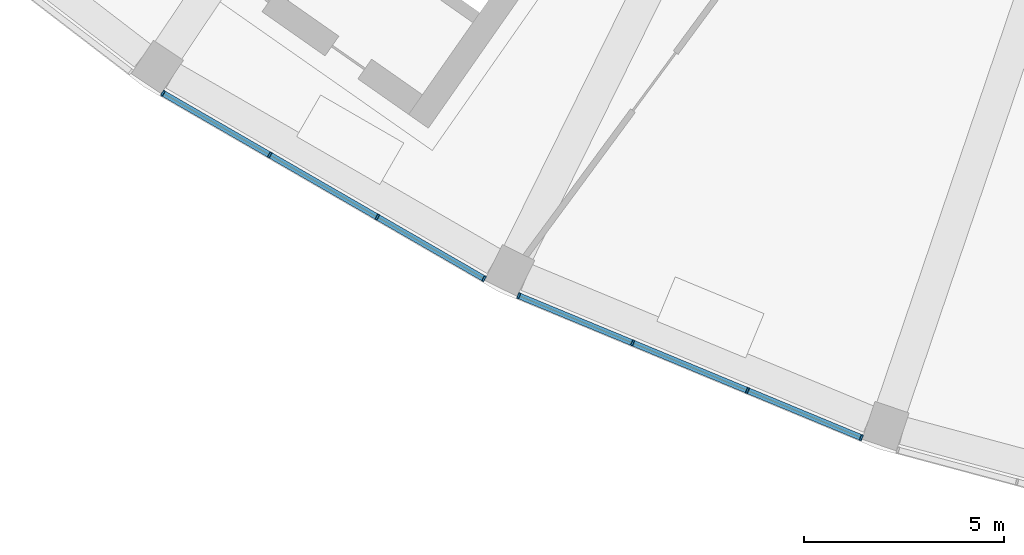
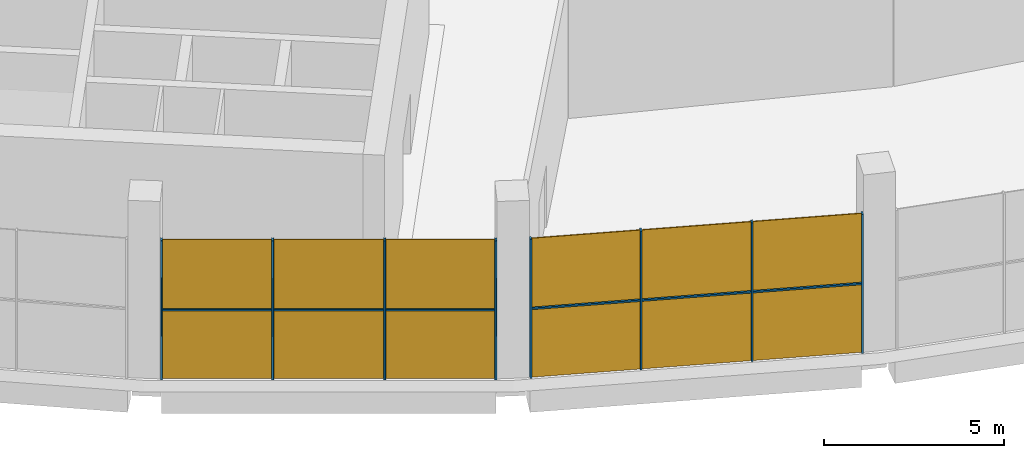
# One storey, part 22 of 41: 14 members, 2 curtain walls.
"""IFC4 building model written with IfcOpenShell, lengths in metres."""

from ifc_helpers import new_model, si_unit, direction, frame, origin, origin_2d, place, context, subcontext, project, spatial, rectangle, extrude, material, material_profile, profile_set, type_object, element, aggregate, save


model = new_model("IFC4")

# Units and contexts
model_context = context("Model", 3, precision=1e-05, world=origin(), true_north=direction((0.0, 1.0)))
body_context = subcontext(model_context, "Body", "Model", "MODEL_VIEW")
ifc_project = project(units=[si_unit("LENGTHUNIT", "METRE"), si_unit("AREAUNIT", "SQUARE_METRE"), si_unit("VOLUMEUNIT", "CUBIC_METRE"), si_unit("PLANEANGLEUNIT", "RADIAN"), si_unit("MASSUNIT", "GRAM", prefix="KILO")], contexts=[model_context])

# Member
ifc_material = material(Name="Aluminium 6063-T6 anodised", Category="aluminium")
ifc_material_profile_1 = material_profile(ifc_material, rectangle(XDim=0.14990234375, YDim=0.050048828125, at=origin_2d()))
ifc_profile_set_1 = profile_set([ifc_material_profile_1], Name="Aluminium 6063-T6 anodised")
member_type_1 = type_object("IfcMemberType", Name="Mullion 50 x 150 aluminium, frameless", PredefinedType="MULLION", material=ifc_profile_set_1)
site_placement = place(None, origin())
building_placement = place(site_placement, origin())
storey_placement = place(building_placement, frame((0.0, 0.0, 284.699951171875)))
member_1_placement = place(storey_placement, frame((-43.0546875, -65.303955078125, 0.0), z_axis=(0.0, 0.0, 1.0), x_axis=(0.5, 0.866025403784, 0.0)))
member_1 = element("IfcMember", 1, at=member_1_placement, type_object=member_type_1, Name="e-cw3-L69-out03/M00", PredefinedType="MULLION", context=body_context, shape_type="SweptSolid", body=[
    extrude(rectangle(XDim=0.14990234375, YDim=0.050048828125, at=origin_2d()), origin(), (0.0, 0.0, 1.0), 4.699951171875),
])

member_2_placement = place(storey_placement, frame((-40.38623046875, -66.8447265625, 0.0), z_axis=(0.0, 0.0, 1.0), x_axis=(0.5, 0.866025403784, 0.0)))
member_2 = element("IfcMember", 2, at=member_2_placement, type_object=member_type_1, Name="e-cw3-L69-out03/M01", PredefinedType="MULLION", context=body_context, shape_type="SweptSolid", body=[
    extrude(rectangle(XDim=0.14990234375, YDim=0.050048828125, at=origin_2d()), origin(), (0.0, 0.0, 1.0), 4.699951171875),
])

member_3_placement = place(storey_placement, frame((-37.696044921875, -68.397705078125, 0.0), z_axis=(0.0, 0.0, 1.0), x_axis=(0.5, 0.866025403784, 0.0)))
member_3 = element("IfcMember", 3, at=member_3_placement, type_object=member_type_1, Name="e-cw3-L69-out03/M02", PredefinedType="MULLION", context=body_context, shape_type="SweptSolid", body=[
    extrude(rectangle(XDim=0.14990234375, YDim=0.050048828125, at=origin_2d()), origin(), (0.0, 0.0, 1.0), 4.699951171875),
])

member_4_placement = place(storey_placement, frame((-35.027587890625, -69.9384765625, 0.0), z_axis=(0.0, 0.0, 1.0), x_axis=(0.5, 0.866025403784, 0.0)))
member_4 = element("IfcMember", 4, at=member_4_placement, type_object=member_type_1, Name="e-cw3-L69-out03/M03", PredefinedType="MULLION", context=body_context, shape_type="SweptSolid", body=[
    extrude(rectangle(XDim=0.14990234375, YDim=0.050048828125, at=origin_2d()), origin(), (0.0, 0.0, 1.0), 4.699951171875),
])

member_5_placement = place(storey_placement, frame((-34.162353515625, -70.364990234375, 0.0), z_axis=(0.0, 0.0, 1.0), x_axis=(0.382683432365, 0.923879532511, 0.0)))
member_5 = element("IfcMember", 5, at=member_5_placement, type_object=member_type_1, Name="e-cw3-L69-out04/M00", PredefinedType="MULLION", context=body_context, shape_type="SweptSolid", body=[
    extrude(rectangle(XDim=0.14990234375, YDim=0.050048828125, at=origin_2d()), origin(), (0.0, 0.0, 1.0), 4.699951171875),
])

member_6_placement = place(storey_placement, frame((-31.315673828125, -71.544189453125, 0.0), z_axis=(0.0, 0.0, 1.0), x_axis=(0.382683432365, 0.923879532511, 0.0)))
member_6 = element("IfcMember", 6, at=member_6_placement, type_object=member_type_1, Name="e-cw3-L69-out04/M01", PredefinedType="MULLION", context=body_context, shape_type="SweptSolid", body=[
    extrude(rectangle(XDim=0.14990234375, YDim=0.050048828125, at=origin_2d()), origin(), (0.0, 0.0, 1.0), 4.699951171875),
])

member_7_placement = place(storey_placement, frame((-28.44580078125, -72.73291015625, 0.0), z_axis=(0.0, 0.0, 1.0), x_axis=(0.382683432365, 0.923879532511, 0.0)))
member_7 = element("IfcMember", 7, at=member_7_placement, type_object=member_type_1, Name="e-cw3-L69-out04/M02", PredefinedType="MULLION", context=body_context, shape_type="SweptSolid", body=[
    extrude(rectangle(XDim=0.14990234375, YDim=0.050048828125, at=origin_2d()), origin(), (0.0, 0.0, 1.0), 4.699951171875),
])

member_8_placement = place(storey_placement, frame((-25.59912109375, -73.912109375, 0.0), z_axis=(0.0, 0.0, 1.0), x_axis=(0.382683432365, 0.923879532511, 0.0)))
member_8 = element("IfcMember", 8, at=member_8_placement, type_object=member_type_1, Name="e-cw3-L69-out04/M03", PredefinedType="MULLION", context=body_context, shape_type="SweptSolid", body=[
    extrude(rectangle(XDim=0.14990234375, YDim=0.050048828125, at=origin_2d()), origin(), (0.0, 0.0, 1.0), 4.699951171875),
])

ifc_material_profile_2 = material_profile(ifc_material, rectangle(XDim=0.14990234375, YDim=0.050048828125, at=origin_2d()))
ifc_profile_set_2 = profile_set([ifc_material_profile_2], Name="Aluminium 6063-T6 anodised")
member_type_2 = type_object("IfcMemberType", Name="Transom 50 x 150 aluminium, frameless", PredefinedType="USERDEFINED", material=ifc_profile_set_2)
member_9_placement = place(storey_placement, frame((-43.032958984375, -65.316650390625, 2.35009765625), z_axis=(0.86606890606, -0.499924644277, 0.0), x_axis=(0.499924644277, 0.86606890606, 0.0)))
member_9 = element("IfcMember", 9, at=member_9_placement, type_object=member_type_2, Name="e-cw3-L69-out03/T00", ObjectType="TRANSOM", PredefinedType="USERDEFINED", context=body_context, shape_type="SweptSolid", body=[
    extrude(rectangle(XDim=0.14990234375, YDim=0.050048828125, at=origin_2d()), origin(), (0.0, 0.0, 1.0), 3.03125),
])

member_10_placement = place(storey_placement, frame((-40.364501953125, -66.857177734375, 2.35009765625), z_axis=(0.866027280971, -0.499996748603, 0.0), x_axis=(0.499996748603, 0.866027280971, 0.0)))
member_10 = element("IfcMember", 10, at=member_10_placement, type_object=member_type_2, Name="e-cw3-L69-out03/T01", ObjectType="TRANSOM", PredefinedType="USERDEFINED", context=body_context, shape_type="SweptSolid", body=[
    extrude(rectangle(XDim=0.14990234375, YDim=0.050048828125, at=origin_2d()), origin(), (0.0, 0.0, 1.0), 3.05615234375),
])

member_11_placement = place(storey_placement, frame((-37.67431640625, -68.41015625, 2.35009765625), z_axis=(0.866013897511, -0.50001992892, 0.0), x_axis=(0.50001992892, 0.866013897511, 0.0)))
member_11 = element("IfcMember", 11, at=member_11_placement, type_object=member_type_2, Name="e-cw3-L69-out03/T02", ObjectType="TRANSOM", PredefinedType="USERDEFINED", context=body_context, shape_type="SweptSolid", body=[
    extrude(rectangle(XDim=0.14990234375, YDim=0.050048828125, at=origin_2d()), origin(), (0.0, 0.0, 1.0), 3.03125),
])

member_12_placement = place(storey_placement, frame((-34.13916015625, -70.374755859375, 2.35009765625), z_axis=(0.923880374326, -0.382681400037, 0.0), x_axis=(0.382681400037, 0.923880374326, 0.0)))
member_12 = element("IfcMember", 12, at=member_12_placement, type_object=member_type_2, Name="e-cw3-L69-out04/T00", ObjectType="TRANSOM", PredefinedType="USERDEFINED", context=body_context, shape_type="SweptSolid", body=[
    extrude(rectangle(XDim=0.14990234375, YDim=0.050048828125, at=origin_2d()), origin(), (0.0, 0.0, 1.0), 3.031005859375),
])

member_13_placement = place(storey_placement, frame((-31.29248046875, -71.5537109375, 2.35009765625), z_axis=(0.923862016386, -0.382725717294, 0.0), x_axis=(0.382725717294, 0.923862016386, 0.0)))
member_13 = element("IfcMember", 13, at=member_13_placement, type_object=member_type_2, Name="e-cw3-L69-out04/T01", ObjectType="TRANSOM", PredefinedType="USERDEFINED", context=body_context, shape_type="SweptSolid", body=[
    extrude(rectangle(XDim=0.14990234375, YDim=0.050048828125, at=origin_2d()), origin(), (0.0, 0.0, 1.0), 3.05615234375),
])

member_14_placement = place(storey_placement, frame((-28.4228515625, -72.742431640625, 2.35009765625), z_axis=(0.923863693261, -0.38272166946, 0.0), x_axis=(0.38272166946, 0.923863693261, 0.0)))
member_14 = element("IfcMember", 14, at=member_14_placement, type_object=member_type_2, Name="e-cw3-L69-out04/T02", ObjectType="TRANSOM", PredefinedType="USERDEFINED", context=body_context, shape_type="SweptSolid", body=[
    extrude(rectangle(XDim=0.14990234375, YDim=0.050048828125, at=origin_2d()), origin(), (0.0, 0.0, 1.0), 3.03125),
])

# Site, building, storey
site = spatial("IfcSite", under=ifc_project, at=site_placement, CompositionType="ELEMENT")
building = spatial("IfcBuilding", under=site, at=building_placement, Name="Qamariyya Broadcast Tower", CompositionType="ELEMENT")
storey = spatial("IfcBuildingStorey", under=building, at=storey_placement, Name="L69", CompositionType="ELEMENT", Elevation=284.699951171875)

# Curtain wall
curtain_wall_type = type_object("IfcCurtainWallType", Name="Observation deck frameless glazing wall", PredefinedType="NOTDEFINED", material=ifc_material)
curtain_wall_1_placement = place(storey_placement, origin())
curtain_wall_1 = element("IfcCurtainWall", 15, at=curtain_wall_1_placement, inside=storey, type_object=curtain_wall_type, Name="e-cw3-L69-out03", PredefinedType="NOTDEFINED", context=body_context, shape_type="SweptSolid", body=[
    extrude(rectangle(XDim=3.03125, YDim=0.031982421875, at=origin_2d()), frame((-41.72021484375, -66.07421875, 0.0), x_axis=(0.866017611601, -0.500013496215, 0.0)), (0.0, 0.0, 1.0), 2.324951171875),
    extrude(rectangle(XDim=3.03125, YDim=0.031982421875, at=origin_2d()), frame((-41.72021484375, -66.07421875, 2.375), x_axis=(0.866017611601, -0.500013496215, 0.0)), (0.0, 0.0, 1.0), 2.324951171875),
    extrude(rectangle(XDim=3.05615234375, YDim=0.031982421875, at=origin_2d()), frame((-39.041015625, -67.62109375, 0.0), x_axis=(0.866017611601, -0.500013496215, 0.0)), (0.0, 0.0, 1.0), 2.324951171875),
    extrude(rectangle(XDim=3.05615234375, YDim=0.031982421875, at=origin_2d()), frame((-39.041015625, -67.62109375, 2.375), x_axis=(0.866017611601, -0.500013496215, 0.0)), (0.0, 0.0, 1.0), 2.324951171875),
    extrude(rectangle(XDim=3.03125, YDim=0.031982421875, at=origin_2d()), frame((-36.362060546875, -69.168212890625, 0.0), x_axis=(0.866017611601, -0.500013496215, 0.0)), (0.0, 0.0, 1.0), 2.324951171875),
    extrude(rectangle(XDim=3.03125, YDim=0.031982421875, at=origin_2d()), frame((-36.362060546875, -69.168212890625, 2.375), x_axis=(0.866017611601, -0.500013496215, 0.0)), (0.0, 0.0, 1.0), 2.324951171875),
])

aggregate(curtain_wall_1, [member_1, member_2, member_3, member_4, member_9, member_10, member_11])

curtain_wall_2_placement = place(storey_placement, origin())
curtain_wall_2 = element("IfcCurtainWall", 16, at=curtain_wall_2_placement, inside=storey, type_object=curtain_wall_type, Name="e-cw3-L69-out04", PredefinedType="NOTDEFINED", context=body_context, shape_type="SweptSolid", body=[
    extrude(rectangle(XDim=3.03125, YDim=0.031982421875, at=origin_2d()), frame((-32.739013671875, -70.95458984375, 0.0), x_axis=(0.923877930643, -0.382687299595, 0.0)), (0.0, 0.0, 1.0), 2.324951171875),
    extrude(rectangle(XDim=3.03125, YDim=0.031982421875, at=origin_2d()), frame((-32.739013671875, -70.95458984375, 2.375), x_axis=(0.923877930643, -0.382687299595, 0.0)), (0.0, 0.0, 1.0), 2.324951171875),
    extrude(rectangle(XDim=3.05615234375, YDim=0.031982421875, at=origin_2d()), frame((-29.880859375, -72.138671875, 0.0), x_axis=(0.923877930643, -0.382687299595, 0.0)), (0.0, 0.0, 1.0), 2.324951171875),
    extrude(rectangle(XDim=3.05615234375, YDim=0.031982421875, at=origin_2d()), frame((-29.880859375, -72.138671875, 2.375), x_axis=(0.923877930643, -0.382687299595, 0.0)), (0.0, 0.0, 1.0), 2.324951171875),
    extrude(rectangle(XDim=3.03125, YDim=0.031982421875, at=origin_2d()), frame((-27.022705078125, -73.322509765625, 0.0), x_axis=(0.923877930643, -0.382687299595, 0.0)), (0.0, 0.0, 1.0), 2.324951171875),
    extrude(rectangle(XDim=3.03125, YDim=0.031982421875, at=origin_2d()), frame((-27.022705078125, -73.322509765625, 2.375), x_axis=(0.923877930643, -0.382687299595, 0.0)), (0.0, 0.0, 1.0), 2.324951171875),
])

aggregate(curtain_wall_2, [member_5, member_6, member_7, member_8, member_12, member_13, member_14])

save(model, "model.ifc")
